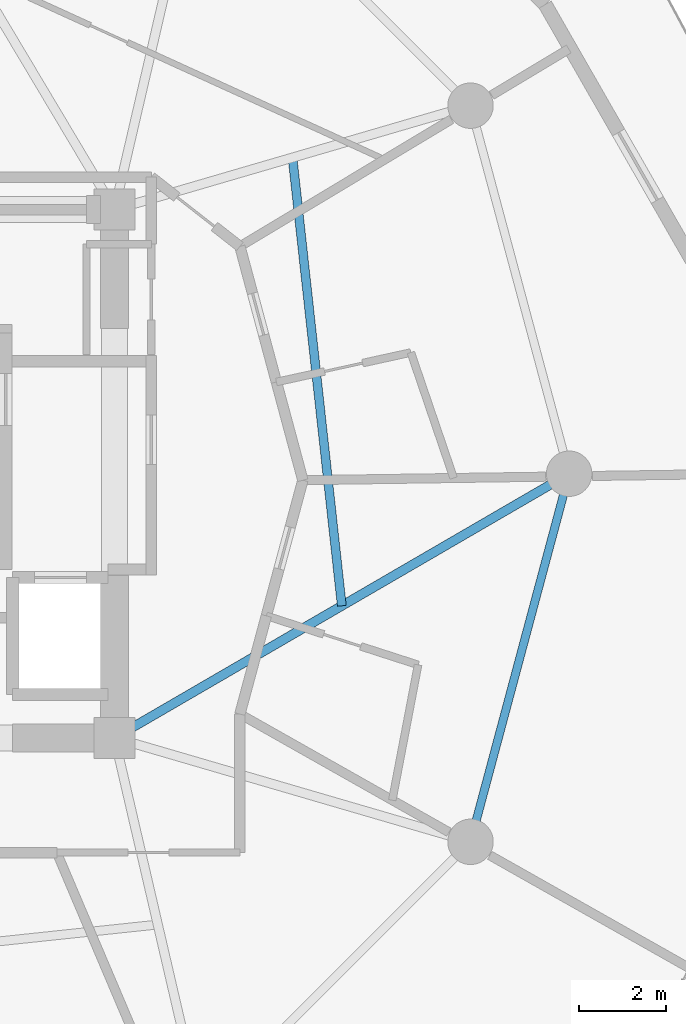
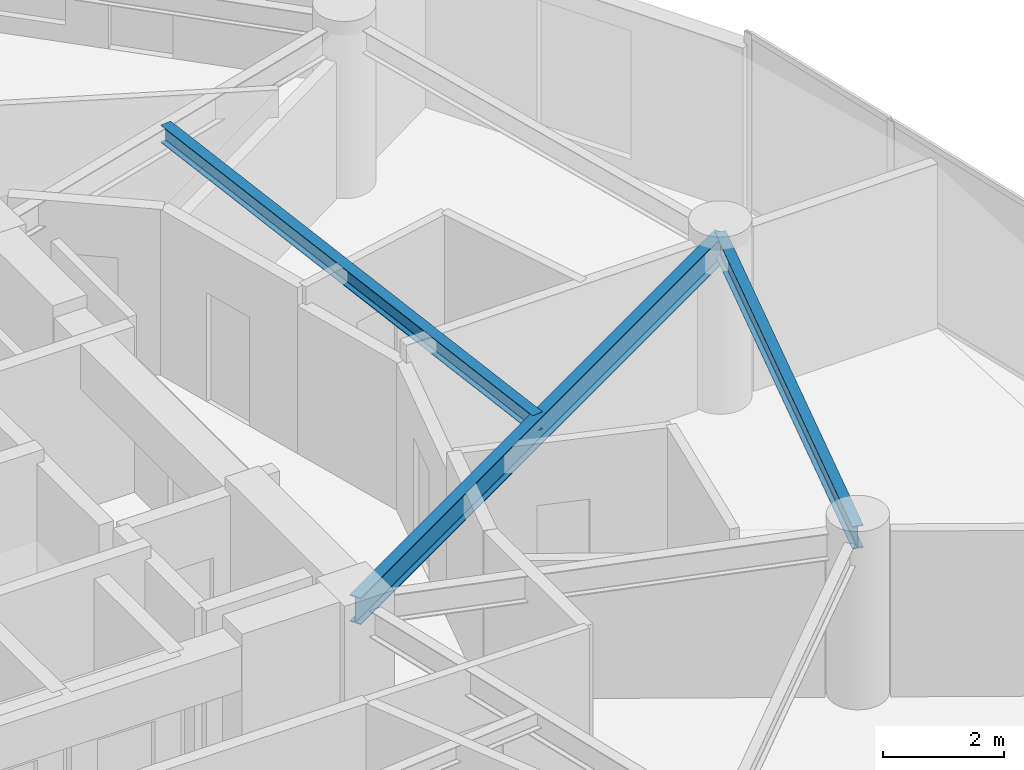
# One storey, part 12 of 25: 3 beams.
"""IFC4 building model written with IfcOpenShell, lengths in metres."""

from ifc_helpers import new_model, si_unit, direction, frame, origin, origin_2d, place, context, subcontext, project, spatial, i_section, extrude, material, material_profile, profile_set, type_object, element, save


model = new_model("IFC4")

# Units and contexts
model_context = context("Model", 3, precision=1e-05, world=origin(), true_north=direction((0.0, 1.0)))
body_context = subcontext(model_context, "Body", "Model", "MODEL_VIEW")
ifc_project = project(units=[si_unit("LENGTHUNIT", "METRE"), si_unit("AREAUNIT", "SQUARE_METRE"), si_unit("VOLUMEUNIT", "CUBIC_METRE"), si_unit("PLANEANGLEUNIT", "RADIAN"), si_unit("MASSUNIT", "GRAM", prefix="KILO")], contexts=[model_context])

# Site, building, storey
site_placement = place(None, origin())
site = spatial("IfcSite", under=ifc_project, at=site_placement, CompositionType="ELEMENT")
building_placement = place(site_placement, origin())
building = spatial("IfcBuilding", under=site, at=building_placement, Name="Solvirekh Grand Hotel", CompositionType="ELEMENT")
storey_placement = place(building_placement, frame((0.0, 0.0, 124.199951171875)))
storey = spatial("IfcBuildingStorey", under=building, at=storey_placement, Name="L31", CompositionType="ELEMENT", Elevation=124.199951171875)

# Beams
ifc_material = material(Name="Steel S355", Category="steel")
ifc_material_profile_1 = material_profile(ifc_material, i_section(OverallWidth=0.2119140625, OverallDepth=0.5439453125, WebThickness=0.011962890625, FlangeThickness=0.01904296875, FilletRadius=0.013916015625, at=origin_2d()), Name="W530X123")
ifc_profile_set_1 = profile_set([ifc_material_profile_1], Name="Steel S355")
beam_type_1 = type_object("IfcBeamType", Name="Beam_Radial_W530H", PredefinedType="BEAM", material=ifc_profile_set_1)
beam_1_placement = place(storey_placement, frame((6.5, -6.10009765625, 3.078125), z_axis=(0.864670076815, 0.50234018181, 0.0), x_axis=(-0.50234018181, 0.864670076815, 0.0)))
element("IfcBeam", 1, at=beam_1_placement, inside=storey, type_object=beam_type_1, Name="L31 radial floor beam R01", PredefinedType="BEAM", context=body_context, shape_type="SweptSolid", body=[
    extrude(i_section(OverallWidth=0.2119140625, OverallDepth=0.5439453125, WebThickness=0.011962890625, FlangeThickness=0.01904296875, FilletRadius=0.013916015625, at=origin_2d()), origin(), (0.0, 0.0, 1.0), 12.143310546875),
])
ifc_material_profile_2 = material_profile(ifc_material, i_section(OverallWidth=0.2041015625, OverallDepth=0.35009765625, WebThickness=0.009033203125, FlangeThickness=0.014892578125, FilletRadius=0.010986328125, at=origin_2d()), Name="W360X72")
ifc_profile_set_2 = profile_set([ifc_material_profile_2], Name="Steel S355")
beam_type_2 = type_object("IfcBeamType", Name="Joist_Floor_W360", PredefinedType="JOIST", material=ifc_profile_set_2)
beam_2_placement = place(storey_placement, frame((11.75, -3.050048828125, 3.175048828125), z_axis=(-0.109378935301, 0.994000125006, 0.0), x_axis=(-0.994000125006, -0.109378935301, 0.0)))
element("IfcBeam", 2, at=beam_2_placement, inside=storey, type_object=beam_type_2, Name="L31 secondary composite floor joist 1", PredefinedType="JOIST", context=body_context, shape_type="SweptSolid", body=[
    extrude(i_section(OverallWidth=0.2041015625, OverallDepth=0.35009765625, WebThickness=0.009033203125, FlangeThickness=0.014892578125, FilletRadius=0.010986328125, at=origin_2d()), origin(), (0.0, 0.0, 1.0), 10.41259765625),
])
ifc_material_profile_3 = material_profile(ifc_material, i_section(OverallWidth=0.18994140625, OverallDepth=0.45703125, WebThickness=0.009033203125, FlangeThickness=0.013916015625, FilletRadius=0.012939453125, at=origin_2d()), Name="W460X74")
ifc_profile_set_3 = profile_set([ifc_material_profile_3], Name="Steel S355")
beam_type_3 = type_object("IfcBeamType", Name="Spandrel_Ring_W460", PredefinedType="SPANDREL", material=ifc_profile_set_3)
beam_3_placement = place(storey_placement, frame((14.721923828125, -8.5, 3.1220703125), z_axis=(0.258872908946, 0.965911391906, 0.0), x_axis=(-0.965911391906, 0.258872908946, 0.0)))
element("IfcBeam", 3, at=beam_3_placement, inside=storey, type_object=beam_type_3, Name="L31 perimeter spandrel beam 12", PredefinedType="SPANDREL", context=body_context, shape_type="SweptSolid", body=[
    extrude(i_section(OverallWidth=0.18994140625, OverallDepth=0.45703125, WebThickness=0.009033203125, FlangeThickness=0.013916015625, FilletRadius=0.012939453125, at=origin_2d()), origin(), (0.0, 0.0, 1.0), 8.800048828125),
])

save(model, "model.ifc")
